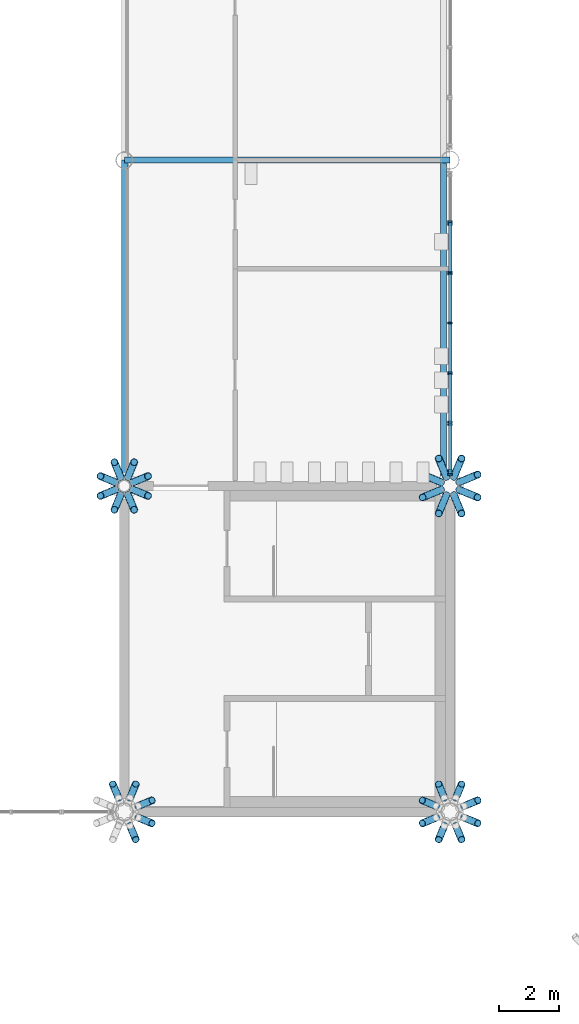
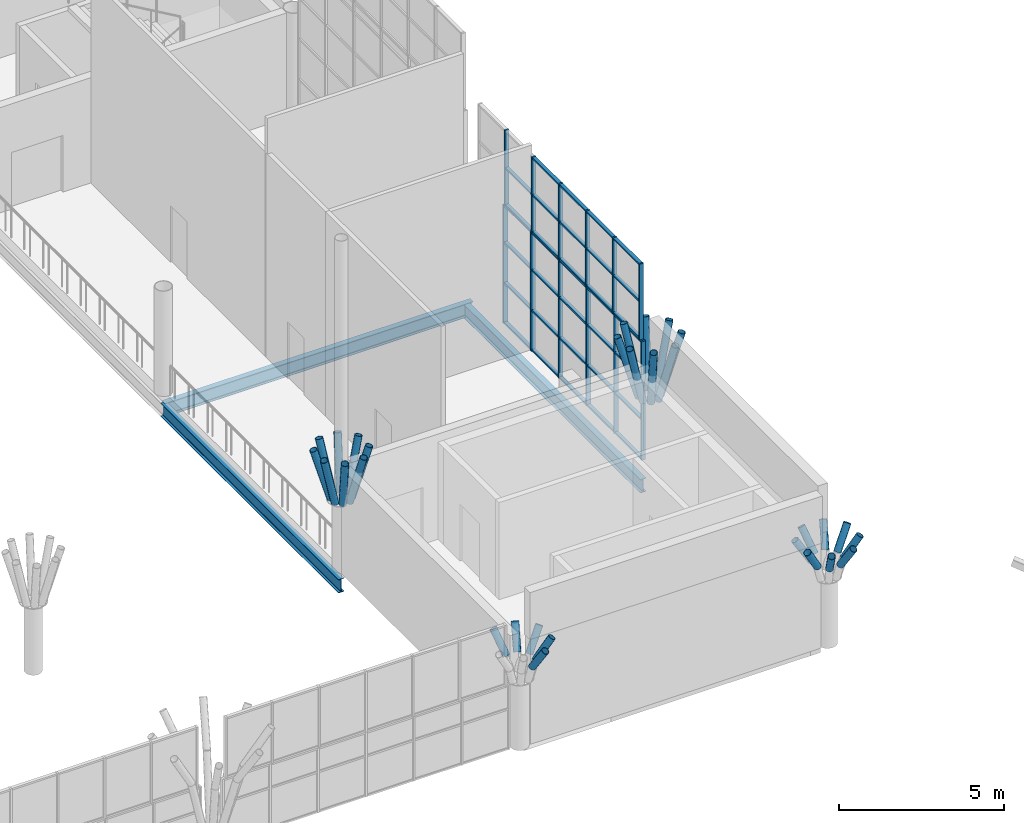
# One storey, part 20 of 95: 75 members, 3 beams, 2 elements without a shape of their own.
"""IFC4 building model written with IfcOpenShell, lengths in metres."""

from ifc_helpers import new_model, si_unit, direction, frame, origin, origin_2d, place, context, subcontext, project, spatial, rectangle, hollow_circle, i_section, extrude, material, layer, layer_set, material_profile, profile_set, type_object, element, aggregate, save


model = new_model("IFC4")

# Units and contexts
model_context = context("Model", 3, precision=1e-05, world=origin(), true_north=direction((0.0, 1.0)))
body_context = subcontext(model_context, "Body", "Model", "MODEL_VIEW")
ifc_project = project(units=[si_unit("LENGTHUNIT", "METRE"), si_unit("AREAUNIT", "SQUARE_METRE"), si_unit("VOLUMEUNIT", "CUBIC_METRE"), si_unit("PLANEANGLEUNIT", "RADIAN"), si_unit("MASSUNIT", "GRAM", prefix="KILO")], contexts=[model_context])

# Site, building, storey
site_placement = place(None, origin())
site = spatial("IfcSite", under=ifc_project, at=site_placement, CompositionType="ELEMENT")
building_placement = place(site_placement, origin())
building = spatial("IfcBuilding", under=site, at=building_placement, Name="Magnolia Steps Interchange", CompositionType="ELEMENT")
storey_placement = place(building_placement, frame((0.0, 0.0, 4.800048828125)))
storey = spatial("IfcBuildingStorey", under=building, at=storey_placement, Name="L01", CompositionType="ELEMENT", Elevation=4.800048828125)

# Curtain wall, members
ifc_material_1 = material(Name="Powder-coated aluminium and glass", Category="aluminium")
ifc_layer_1 = layer(ifc_material_1, 0.14990234375)
ifc_layer_set_1 = layer_set([ifc_layer_1], Name="Glazed hall curtain wall")
curtain_wall_type_1 = type_object("IfcCurtainWallType", Name="Glazed hall curtain wall", PredefinedType="NOTDEFINED", material=ifc_layer_set_1)
curtain_wall_1_placement = place(storey_placement, origin())
curtain_wall_1 = element("IfcCurtainWall", 1, at=curtain_wall_1_placement, inside=storey, type_object=curtain_wall_type_1, Name="Hall glazing E2 L01", PredefinedType="NOTDEFINED")
ifc_material_2 = material(Name="White powder-coated aluminium", Category="aluminium")
ifc_material_profile_1 = material_profile(ifc_material_2, rectangle(XDim=0.06005859375, YDim=0.14990234375, at=origin_2d()), Name="Aluminium mullion 60 x 150")
ifc_profile_set_1 = profile_set([ifc_material_profile_1], Name="White powder-coated aluminium")
member_type_1 = type_object("IfcMemberType", Name="Aluminium mullion 60 x 150", PredefinedType="MULLION", material=ifc_profile_set_1)
member_1_placement = place(storey_placement, frame((118.0, 53.590087890625, 0.0), z_axis=(0.0, 0.0, 1.0), x_axis=(0.0, 1.0, 0.0)))
member_1 = element("IfcMember", 2, at=member_1_placement, type_object=member_type_1, Name="CW1 mullion 1", PredefinedType="MULLION", context=body_context, shape_type="SweptSolid", body=[
    extrude(rectangle(XDim=0.06005859375, YDim=0.14990234375, at=origin_2d()), origin(), (0.0, 0.0, 1.0), 4.39990234375),
])
member_2_placement = place(storey_placement, frame((118.0, 55.239990234375, 0.0), z_axis=(0.0, 0.0, 1.0), x_axis=(0.0, 1.0, 0.0)))
member_2 = element("IfcMember", 3, at=member_2_placement, type_object=member_type_1, Name="CW1 mullion 2", PredefinedType="MULLION", context=body_context, shape_type="SweptSolid", body=[
    extrude(rectangle(XDim=0.06005859375, YDim=0.14990234375, at=origin_2d()), origin(), (0.0, 0.0, 1.0), 4.39990234375),
])
member_3_placement = place(storey_placement, frame((118.0, 56.919921875, 0.0), z_axis=(0.0, 0.0, 1.0), x_axis=(0.0, 1.0, 0.0)))
member_3 = element("IfcMember", 4, at=member_3_placement, type_object=member_type_1, Name="CW1 mullion 3", PredefinedType="MULLION", context=body_context, shape_type="SweptSolid", body=[
    extrude(rectangle(XDim=0.06005859375, YDim=0.14990234375, at=origin_2d()), origin(), (0.0, 0.0, 1.0), 4.39990234375),
])
member_4_placement = place(storey_placement, frame((118.0, 58.60009765625, 0.0), z_axis=(0.0, 0.0, 1.0), x_axis=(0.0, 1.0, 0.0)))
member_4 = element("IfcMember", 5, at=member_4_placement, type_object=member_type_1, Name="CW1 mullion 4", PredefinedType="MULLION", context=body_context, shape_type="SweptSolid", body=[
    extrude(rectangle(XDim=0.06005859375, YDim=0.14990234375, at=origin_2d()), origin(), (0.0, 0.0, 1.0), 4.39990234375),
])
member_5_placement = place(storey_placement, frame((118.0, 60.280029296875, 0.0), z_axis=(0.0, 0.0, 1.0), x_axis=(0.0, 1.0, 0.0)))
member_5 = element("IfcMember", 6, at=member_5_placement, type_object=member_type_1, Name="CW1 mullion 5", PredefinedType="MULLION", context=body_context, shape_type="SweptSolid", body=[
    extrude(rectangle(XDim=0.06005859375, YDim=0.14990234375, at=origin_2d()), origin(), (0.0, 0.0, 1.0), 4.39990234375),
])
member_6_placement = place(storey_placement, frame((118.0, 61.9599609375, 0.0), z_axis=(0.0, 0.0, 1.0), x_axis=(0.0, 1.0, 0.0)))
member_6 = element("IfcMember", 7, at=member_6_placement, type_object=member_type_1, Name="CW1 mullion 6", PredefinedType="MULLION", context=body_context, shape_type="SweptSolid", body=[
    extrude(rectangle(XDim=0.06005859375, YDim=0.14990234375, at=origin_2d()), origin(), (0.0, 0.0, 1.0), 4.39990234375),
])

ifc_material_3 = material(Name="Powder-coated aluminium and glass", Category="aluminium")
ifc_layer_2 = layer(ifc_material_3, 0.1201171875)
ifc_layer_set_2 = layer_set([ifc_layer_2], Name="Hall clerestory curtain wall")
curtain_wall_type_2 = type_object("IfcCurtainWallType", Name="Hall clerestory curtain wall", PredefinedType="NOTDEFINED", material=ifc_layer_set_2)
curtain_wall_2_placement = place(storey_placement, origin())
curtain_wall_2 = element("IfcCurtainWall", 8, at=curtain_wall_2_placement, inside=storey, type_object=curtain_wall_type_2, Name="Hall clerestory E2", PredefinedType="NOTDEFINED")
member_7_placement = place(storey_placement, frame((118.0, 53.7099609375, 4.39990234375), z_axis=(0.0, 0.0, 1.0), x_axis=(0.0, 1.0, 0.0)))
member_7 = element("IfcMember", 9, at=member_7_placement, type_object=member_type_1, Name="CW6 mullion 1", PredefinedType="MULLION", context=body_context, shape_type="SweptSolid", body=[
    extrude(rectangle(XDim=0.06005859375, YDim=0.14990234375, at=origin_2d()), origin(), (0.0, 0.0, 1.0), 2.800048828125),
])
member_8_placement = place(storey_placement, frame((118.0, 55.320068359375, 4.39990234375), z_axis=(0.0, 0.0, 1.0), x_axis=(0.0, 1.0, 0.0)))
member_8 = element("IfcMember", 10, at=member_8_placement, type_object=member_type_1, Name="CW6 mullion 2", PredefinedType="MULLION", context=body_context, shape_type="SweptSolid", body=[
    extrude(rectangle(XDim=0.06005859375, YDim=0.14990234375, at=origin_2d()), origin(), (0.0, 0.0, 1.0), 2.800048828125),
])
member_9_placement = place(storey_placement, frame((118.0, 56.9599609375, 4.39990234375), z_axis=(0.0, 0.0, 1.0), x_axis=(0.0, 1.0, 0.0)))
member_9 = element("IfcMember", 11, at=member_9_placement, type_object=member_type_1, Name="CW6 mullion 3", PredefinedType="MULLION", context=body_context, shape_type="SweptSolid", body=[
    extrude(rectangle(XDim=0.06005859375, YDim=0.14990234375, at=origin_2d()), origin(), (0.0, 0.0, 1.0), 2.800048828125),
])
member_10_placement = place(storey_placement, frame((118.0, 58.60009765625, 4.39990234375), z_axis=(0.0, 0.0, 1.0), x_axis=(0.0, 1.0, 0.0)))
member_10 = element("IfcMember", 12, at=member_10_placement, type_object=member_type_1, Name="CW6 mullion 4", PredefinedType="MULLION", context=body_context, shape_type="SweptSolid", body=[
    extrude(rectangle(XDim=0.06005859375, YDim=0.14990234375, at=origin_2d()), origin(), (0.0, 0.0, 1.0), 2.800048828125),
])
member_11_placement = place(storey_placement, frame((118.0, 60.239990234375, 4.39990234375), z_axis=(0.0, 0.0, 1.0), x_axis=(0.0, 1.0, 0.0)))
member_11 = element("IfcMember", 13, at=member_11_placement, type_object=member_type_1, Name="CW6 mullion 5", PredefinedType="MULLION", context=body_context, shape_type="SweptSolid", body=[
    extrude(rectangle(XDim=0.06005859375, YDim=0.14990234375, at=origin_2d()), origin(), (0.0, 0.0, 1.0), 2.800048828125),
])
member_12_placement = place(storey_placement, frame((118.0, 61.8798828125, 4.39990234375), z_axis=(0.0, 0.0, 1.0), x_axis=(0.0, 1.0, 0.0)))
member_12 = element("IfcMember", 14, at=member_12_placement, type_object=member_type_1, Name="CW6 mullion 6", PredefinedType="MULLION", context=body_context, shape_type="SweptSolid", body=[
    extrude(rectangle(XDim=0.06005859375, YDim=0.14990234375, at=origin_2d()), origin(), (0.0, 0.0, 1.0), 2.800048828125),
])

# Member
ifc_material_4 = material(Name="White powder-coated aluminium", Category="aluminium")
ifc_material_profile_2 = material_profile(ifc_material_4, rectangle(XDim=0.06005859375, YDim=0.1201171875, at=origin_2d()), Name="Aluminium transom 60 x 120")
ifc_profile_set_2 = profile_set([ifc_material_profile_2], Name="White powder-coated aluminium")
member_type_2 = type_object("IfcMemberType", Name="Aluminium transom 60 x 120", PredefinedType="USERDEFINED", material=ifc_profile_set_2)
member_13_placement = place(storey_placement, frame((118.0, 53.6201171875, 0.030029296875), z_axis=(0.0, 1.0, 0.0), x_axis=(0.0, 0.0, 1.0)))
member_13 = element("IfcMember", 15, at=member_13_placement, type_object=member_type_2, Name="CW1 transom 1.1", ObjectType="TRANSOM", PredefinedType="USERDEFINED", context=body_context, shape_type="SweptSolid", body=[
    extrude(rectangle(XDim=0.06005859375, YDim=0.1201171875, at=origin_2d()), origin(), (0.0, 0.0, 1.0), 1.58984375),
])

member_14_placement = place(storey_placement, frame((118.0, 53.6201171875, 1.5), z_axis=(0.0, 1.0, 0.0), x_axis=(0.0, 0.0, 1.0)))
member_14 = element("IfcMember", 16, at=member_14_placement, type_object=member_type_2, Name="CW1 transom 1.2", ObjectType="TRANSOM", PredefinedType="USERDEFINED", context=body_context, shape_type="SweptSolid", body=[
    extrude(rectangle(XDim=0.06005859375, YDim=0.1201171875, at=origin_2d()), origin(), (0.0, 0.0, 1.0), 1.58984375),
])

member_15_placement = place(storey_placement, frame((118.0, 53.6201171875, 3.0), z_axis=(0.0, 1.0, 0.0), x_axis=(0.0, 0.0, 1.0)))
member_15 = element("IfcMember", 17, at=member_15_placement, type_object=member_type_2, Name="CW1 transom 1.3", ObjectType="TRANSOM", PredefinedType="USERDEFINED", context=body_context, shape_type="SweptSolid", body=[
    extrude(rectangle(XDim=0.06005859375, YDim=0.1201171875, at=origin_2d()), origin(), (0.0, 0.0, 1.0), 1.58984375),
])

member_16_placement = place(storey_placement, frame((118.0, 53.6201171875, 4.369873046875), z_axis=(0.0, 1.0, 0.0), x_axis=(0.0, 0.0, 1.0)))
member_16 = element("IfcMember", 18, at=member_16_placement, type_object=member_type_2, Name="CW1 transom 1.4", ObjectType="TRANSOM", PredefinedType="USERDEFINED", context=body_context, shape_type="SweptSolid", body=[
    extrude(rectangle(XDim=0.06005859375, YDim=0.1201171875, at=origin_2d()), origin(), (0.0, 0.0, 1.0), 1.58984375),
])

member_17_placement = place(storey_placement, frame((118.0, 55.27001953125, 0.030029296875), z_axis=(0.0, 1.0, 0.0), x_axis=(0.0, 0.0, 1.0)))
member_17 = element("IfcMember", 19, at=member_17_placement, type_object=member_type_2, Name="CW1 transom 2.1", ObjectType="TRANSOM", PredefinedType="USERDEFINED", context=body_context, shape_type="SweptSolid", body=[
    extrude(rectangle(XDim=0.06005859375, YDim=0.1201171875, at=origin_2d()), origin(), (0.0, 0.0, 1.0), 1.619873046875),
])

member_18_placement = place(storey_placement, frame((118.0, 55.27001953125, 1.5), z_axis=(0.0, 1.0, 0.0), x_axis=(0.0, 0.0, 1.0)))
member_18 = element("IfcMember", 20, at=member_18_placement, type_object=member_type_2, Name="CW1 transom 2.2", ObjectType="TRANSOM", PredefinedType="USERDEFINED", context=body_context, shape_type="SweptSolid", body=[
    extrude(rectangle(XDim=0.06005859375, YDim=0.1201171875, at=origin_2d()), origin(), (0.0, 0.0, 1.0), 1.619873046875),
])

member_19_placement = place(storey_placement, frame((118.0, 55.27001953125, 3.0), z_axis=(0.0, 1.0, 0.0), x_axis=(0.0, 0.0, 1.0)))
member_19 = element("IfcMember", 21, at=member_19_placement, type_object=member_type_2, Name="CW1 transom 2.3", ObjectType="TRANSOM", PredefinedType="USERDEFINED", context=body_context, shape_type="SweptSolid", body=[
    extrude(rectangle(XDim=0.06005859375, YDim=0.1201171875, at=origin_2d()), origin(), (0.0, 0.0, 1.0), 1.619873046875),
])

member_20_placement = place(storey_placement, frame((118.0, 55.27001953125, 4.369873046875), z_axis=(0.0, 1.0, 0.0), x_axis=(0.0, 0.0, 1.0)))
member_20 = element("IfcMember", 22, at=member_20_placement, type_object=member_type_2, Name="CW1 transom 2.4", ObjectType="TRANSOM", PredefinedType="USERDEFINED", context=body_context, shape_type="SweptSolid", body=[
    extrude(rectangle(XDim=0.06005859375, YDim=0.1201171875, at=origin_2d()), origin(), (0.0, 0.0, 1.0), 1.619873046875),
])

member_21_placement = place(storey_placement, frame((118.0, 56.949951171875, 0.030029296875), z_axis=(0.0, 1.0, 0.0), x_axis=(0.0, 0.0, 1.0)))
member_21 = element("IfcMember", 23, at=member_21_placement, type_object=member_type_2, Name="CW1 transom 3.1", ObjectType="TRANSOM", PredefinedType="USERDEFINED", context=body_context, shape_type="SweptSolid", body=[
    extrude(rectangle(XDim=0.06005859375, YDim=0.1201171875, at=origin_2d()), origin(), (0.0, 0.0, 1.0), 1.6201171875),
])

member_22_placement = place(storey_placement, frame((118.0, 56.949951171875, 1.5), z_axis=(0.0, 1.0, 0.0), x_axis=(0.0, 0.0, 1.0)))
member_22 = element("IfcMember", 24, at=member_22_placement, type_object=member_type_2, Name="CW1 transom 3.2", ObjectType="TRANSOM", PredefinedType="USERDEFINED", context=body_context, shape_type="SweptSolid", body=[
    extrude(rectangle(XDim=0.06005859375, YDim=0.1201171875, at=origin_2d()), origin(), (0.0, 0.0, 1.0), 1.6201171875),
])

member_23_placement = place(storey_placement, frame((118.0, 56.949951171875, 3.0), z_axis=(0.0, 1.0, 0.0), x_axis=(0.0, 0.0, 1.0)))
member_23 = element("IfcMember", 25, at=member_23_placement, type_object=member_type_2, Name="CW1 transom 3.3", ObjectType="TRANSOM", PredefinedType="USERDEFINED", context=body_context, shape_type="SweptSolid", body=[
    extrude(rectangle(XDim=0.06005859375, YDim=0.1201171875, at=origin_2d()), origin(), (0.0, 0.0, 1.0), 1.6201171875),
])

member_24_placement = place(storey_placement, frame((118.0, 56.949951171875, 4.369873046875), z_axis=(0.0, 1.0, 0.0), x_axis=(0.0, 0.0, 1.0)))
member_24 = element("IfcMember", 26, at=member_24_placement, type_object=member_type_2, Name="CW1 transom 3.4", ObjectType="TRANSOM", PredefinedType="USERDEFINED", context=body_context, shape_type="SweptSolid", body=[
    extrude(rectangle(XDim=0.06005859375, YDim=0.1201171875, at=origin_2d()), origin(), (0.0, 0.0, 1.0), 1.6201171875),
])

member_25_placement = place(storey_placement, frame((118.0, 58.6298828125, 0.030029296875), z_axis=(0.0, 1.0, 0.0), x_axis=(0.0, 0.0, 1.0)))
member_25 = element("IfcMember", 27, at=member_25_placement, type_object=member_type_2, Name="CW1 transom 4.1", ObjectType="TRANSOM", PredefinedType="USERDEFINED", context=body_context, shape_type="SweptSolid", body=[
    extrude(rectangle(XDim=0.06005859375, YDim=0.1201171875, at=origin_2d()), origin(), (0.0, 0.0, 1.0), 1.6201171875),
])

member_26_placement = place(storey_placement, frame((118.0, 58.6298828125, 1.5), z_axis=(0.0, 1.0, 0.0), x_axis=(0.0, 0.0, 1.0)))
member_26 = element("IfcMember", 28, at=member_26_placement, type_object=member_type_2, Name="CW1 transom 4.2", ObjectType="TRANSOM", PredefinedType="USERDEFINED", context=body_context, shape_type="SweptSolid", body=[
    extrude(rectangle(XDim=0.06005859375, YDim=0.1201171875, at=origin_2d()), origin(), (0.0, 0.0, 1.0), 1.6201171875),
])

member_27_placement = place(storey_placement, frame((118.0, 58.6298828125, 3.0), z_axis=(0.0, 1.0, 0.0), x_axis=(0.0, 0.0, 1.0)))
member_27 = element("IfcMember", 29, at=member_27_placement, type_object=member_type_2, Name="CW1 transom 4.3", ObjectType="TRANSOM", PredefinedType="USERDEFINED", context=body_context, shape_type="SweptSolid", body=[
    extrude(rectangle(XDim=0.06005859375, YDim=0.1201171875, at=origin_2d()), origin(), (0.0, 0.0, 1.0), 1.6201171875),
])

member_28_placement = place(storey_placement, frame((118.0, 58.6298828125, 4.369873046875), z_axis=(0.0, 1.0, 0.0), x_axis=(0.0, 0.0, 1.0)))
member_28 = element("IfcMember", 30, at=member_28_placement, type_object=member_type_2, Name="CW1 transom 4.4", ObjectType="TRANSOM", PredefinedType="USERDEFINED", context=body_context, shape_type="SweptSolid", body=[
    extrude(rectangle(XDim=0.06005859375, YDim=0.1201171875, at=origin_2d()), origin(), (0.0, 0.0, 1.0), 1.6201171875),
])

member_29_placement = place(storey_placement, frame((118.0, 60.31005859375, 0.030029296875), z_axis=(0.0, 1.0, 0.0), x_axis=(0.0, 0.0, 1.0)))
member_29 = element("IfcMember", 31, at=member_29_placement, type_object=member_type_2, Name="CW1 transom 5.1", ObjectType="TRANSOM", PredefinedType="USERDEFINED", context=body_context, shape_type="SweptSolid", body=[
    extrude(rectangle(XDim=0.06005859375, YDim=0.1201171875, at=origin_2d()), origin(), (0.0, 0.0, 1.0), 1.619873046875),
])

member_30_placement = place(storey_placement, frame((118.0, 60.31005859375, 1.5), z_axis=(0.0, 1.0, 0.0), x_axis=(0.0, 0.0, 1.0)))
member_30 = element("IfcMember", 32, at=member_30_placement, type_object=member_type_2, Name="CW1 transom 5.2", ObjectType="TRANSOM", PredefinedType="USERDEFINED", context=body_context, shape_type="SweptSolid", body=[
    extrude(rectangle(XDim=0.06005859375, YDim=0.1201171875, at=origin_2d()), origin(), (0.0, 0.0, 1.0), 1.619873046875),
])

member_31_placement = place(storey_placement, frame((118.0, 60.31005859375, 3.0), z_axis=(0.0, 1.0, 0.0), x_axis=(0.0, 0.0, 1.0)))
member_31 = element("IfcMember", 33, at=member_31_placement, type_object=member_type_2, Name="CW1 transom 5.3", ObjectType="TRANSOM", PredefinedType="USERDEFINED", context=body_context, shape_type="SweptSolid", body=[
    extrude(rectangle(XDim=0.06005859375, YDim=0.1201171875, at=origin_2d()), origin(), (0.0, 0.0, 1.0), 1.619873046875),
])

member_32_placement = place(storey_placement, frame((118.0, 60.31005859375, 4.369873046875), z_axis=(0.0, 1.0, 0.0), x_axis=(0.0, 0.0, 1.0)))
member_32 = element("IfcMember", 34, at=member_32_placement, type_object=member_type_2, Name="CW1 transom 5.4", ObjectType="TRANSOM", PredefinedType="USERDEFINED", context=body_context, shape_type="SweptSolid", body=[
    extrude(rectangle(XDim=0.06005859375, YDim=0.1201171875, at=origin_2d()), origin(), (0.0, 0.0, 1.0), 1.619873046875),
])

aggregate(curtain_wall_1, [member_1, member_2, member_3, member_4, member_5, member_6, member_13, member_14, member_15, member_16, member_17, member_18, member_19, member_20, member_21, member_22, member_23, member_24, member_25, member_26, member_27, member_28, member_29, member_30, member_31, member_32])

member_33_placement = place(storey_placement, frame((118.0, 53.739990234375, 4.429931640625), z_axis=(0.0, 1.0, 0.0), x_axis=(0.0, 0.0, 1.0)))
member_33 = element("IfcMember", 35, at=member_33_placement, type_object=member_type_2, Name="CW6 transom 1.1", ObjectType="TRANSOM", PredefinedType="USERDEFINED", context=body_context, shape_type="SweptSolid", body=[
    extrude(rectangle(XDim=0.06005859375, YDim=0.1201171875, at=origin_2d()), origin(), (0.0, 0.0, 1.0), 1.550048828125),
])

member_34_placement = place(storey_placement, frame((118.0, 53.739990234375, 5.800048828125), z_axis=(0.0, 1.0, 0.0), x_axis=(0.0, 0.0, 1.0)))
member_34 = element("IfcMember", 36, at=member_34_placement, type_object=member_type_2, Name="CW6 transom 1.2", ObjectType="TRANSOM", PredefinedType="USERDEFINED", context=body_context, shape_type="SweptSolid", body=[
    extrude(rectangle(XDim=0.06005859375, YDim=0.1201171875, at=origin_2d()), origin(), (0.0, 0.0, 1.0), 1.550048828125),
])

member_35_placement = place(storey_placement, frame((118.0, 53.739990234375, 7.169921875), z_axis=(0.0, 1.0, 0.0), x_axis=(0.0, 0.0, 1.0)))
member_35 = element("IfcMember", 37, at=member_35_placement, type_object=member_type_2, Name="CW6 transom 1.3", ObjectType="TRANSOM", PredefinedType="USERDEFINED", context=body_context, shape_type="SweptSolid", body=[
    extrude(rectangle(XDim=0.06005859375, YDim=0.1201171875, at=origin_2d()), origin(), (0.0, 0.0, 1.0), 1.550048828125),
])

member_36_placement = place(storey_placement, frame((118.0, 55.35009765625, 4.429931640625), z_axis=(0.0, 1.0, 0.0), x_axis=(0.0, 0.0, 1.0)))
member_36 = element("IfcMember", 38, at=member_36_placement, type_object=member_type_2, Name="CW6 transom 2.1", ObjectType="TRANSOM", PredefinedType="USERDEFINED", context=body_context, shape_type="SweptSolid", body=[
    extrude(rectangle(XDim=0.06005859375, YDim=0.1201171875, at=origin_2d()), origin(), (0.0, 0.0, 1.0), 1.579833984375),
])

member_37_placement = place(storey_placement, frame((118.0, 55.35009765625, 5.800048828125), z_axis=(0.0, 1.0, 0.0), x_axis=(0.0, 0.0, 1.0)))
member_37 = element("IfcMember", 39, at=member_37_placement, type_object=member_type_2, Name="CW6 transom 2.2", ObjectType="TRANSOM", PredefinedType="USERDEFINED", context=body_context, shape_type="SweptSolid", body=[
    extrude(rectangle(XDim=0.06005859375, YDim=0.1201171875, at=origin_2d()), origin(), (0.0, 0.0, 1.0), 1.579833984375),
])

member_38_placement = place(storey_placement, frame((118.0, 55.35009765625, 7.169921875), z_axis=(0.0, 1.0, 0.0), x_axis=(0.0, 0.0, 1.0)))
member_38 = element("IfcMember", 40, at=member_38_placement, type_object=member_type_2, Name="CW6 transom 2.3", ObjectType="TRANSOM", PredefinedType="USERDEFINED", context=body_context, shape_type="SweptSolid", body=[
    extrude(rectangle(XDim=0.06005859375, YDim=0.1201171875, at=origin_2d()), origin(), (0.0, 0.0, 1.0), 1.579833984375),
])

member_39_placement = place(storey_placement, frame((118.0, 56.989990234375, 4.429931640625), z_axis=(0.0, 1.0, 0.0), x_axis=(0.0, 0.0, 1.0)))
member_39 = element("IfcMember", 41, at=member_39_placement, type_object=member_type_2, Name="CW6 transom 3.1", ObjectType="TRANSOM", PredefinedType="USERDEFINED", context=body_context, shape_type="SweptSolid", body=[
    extrude(rectangle(XDim=0.06005859375, YDim=0.1201171875, at=origin_2d()), origin(), (0.0, 0.0, 1.0), 1.580078125),
])

member_40_placement = place(storey_placement, frame((118.0, 56.989990234375, 5.800048828125), z_axis=(0.0, 1.0, 0.0), x_axis=(0.0, 0.0, 1.0)))
member_40 = element("IfcMember", 42, at=member_40_placement, type_object=member_type_2, Name="CW6 transom 3.2", ObjectType="TRANSOM", PredefinedType="USERDEFINED", context=body_context, shape_type="SweptSolid", body=[
    extrude(rectangle(XDim=0.06005859375, YDim=0.1201171875, at=origin_2d()), origin(), (0.0, 0.0, 1.0), 1.580078125),
])

member_41_placement = place(storey_placement, frame((118.0, 56.989990234375, 7.169921875), z_axis=(0.0, 1.0, 0.0), x_axis=(0.0, 0.0, 1.0)))
member_41 = element("IfcMember", 43, at=member_41_placement, type_object=member_type_2, Name="CW6 transom 3.3", ObjectType="TRANSOM", PredefinedType="USERDEFINED", context=body_context, shape_type="SweptSolid", body=[
    extrude(rectangle(XDim=0.06005859375, YDim=0.1201171875, at=origin_2d()), origin(), (0.0, 0.0, 1.0), 1.580078125),
])

member_42_placement = place(storey_placement, frame((118.0, 58.6298828125, 4.429931640625), z_axis=(0.0, 1.0, 0.0), x_axis=(0.0, 0.0, 1.0)))
member_42 = element("IfcMember", 44, at=member_42_placement, type_object=member_type_2, Name="CW6 transom 4.1", ObjectType="TRANSOM", PredefinedType="USERDEFINED", context=body_context, shape_type="SweptSolid", body=[
    extrude(rectangle(XDim=0.06005859375, YDim=0.1201171875, at=origin_2d()), origin(), (0.0, 0.0, 1.0), 1.580078125),
])

member_43_placement = place(storey_placement, frame((118.0, 58.6298828125, 5.800048828125), z_axis=(0.0, 1.0, 0.0), x_axis=(0.0, 0.0, 1.0)))
member_43 = element("IfcMember", 45, at=member_43_placement, type_object=member_type_2, Name="CW6 transom 4.2", ObjectType="TRANSOM", PredefinedType="USERDEFINED", context=body_context, shape_type="SweptSolid", body=[
    extrude(rectangle(XDim=0.06005859375, YDim=0.1201171875, at=origin_2d()), origin(), (0.0, 0.0, 1.0), 1.580078125),
])

member_44_placement = place(storey_placement, frame((118.0, 58.6298828125, 7.169921875), z_axis=(0.0, 1.0, 0.0), x_axis=(0.0, 0.0, 1.0)))
member_44 = element("IfcMember", 46, at=member_44_placement, type_object=member_type_2, Name="CW6 transom 4.3", ObjectType="TRANSOM", PredefinedType="USERDEFINED", context=body_context, shape_type="SweptSolid", body=[
    extrude(rectangle(XDim=0.06005859375, YDim=0.1201171875, at=origin_2d()), origin(), (0.0, 0.0, 1.0), 1.580078125),
])

member_45_placement = place(storey_placement, frame((118.0, 60.27001953125, 4.429931640625), z_axis=(0.0, 1.0, 0.0), x_axis=(0.0, 0.0, 1.0)))
member_45 = element("IfcMember", 47, at=member_45_placement, type_object=member_type_2, Name="CW6 transom 5.1", ObjectType="TRANSOM", PredefinedType="USERDEFINED", context=body_context, shape_type="SweptSolid", body=[
    extrude(rectangle(XDim=0.06005859375, YDim=0.1201171875, at=origin_2d()), origin(), (0.0, 0.0, 1.0), 1.580078125),
])

member_46_placement = place(storey_placement, frame((118.0, 60.27001953125, 5.800048828125), z_axis=(0.0, 1.0, 0.0), x_axis=(0.0, 0.0, 1.0)))
member_46 = element("IfcMember", 48, at=member_46_placement, type_object=member_type_2, Name="CW6 transom 5.2", ObjectType="TRANSOM", PredefinedType="USERDEFINED", context=body_context, shape_type="SweptSolid", body=[
    extrude(rectangle(XDim=0.06005859375, YDim=0.1201171875, at=origin_2d()), origin(), (0.0, 0.0, 1.0), 1.580078125),
])

aggregate(curtain_wall_2, [member_7, member_8, member_9, member_10, member_11, member_12, member_33, member_34, member_35, member_36, member_37, member_38, member_39, member_40, member_41, member_42, member_43, member_44, member_45, member_46])

# Beams
ifc_material_5 = material(Name="Steel Q355B", Category="steel")
ifc_material_profile_3 = material_profile(ifc_material_5, i_section(OverallWidth=0.199951171875, OverallDepth=0.5, WebThickness=0.010009765625, FlangeThickness=0.01611328125, FilletRadius=0.02001953125, at=origin_2d()), Name="HN500x200")
ifc_profile_set_3 = profile_set([ifc_material_profile_3], Name="Steel Q355B")
beam_type = type_object("IfcBeamType", Name="Steel composite beam HN500x200", PredefinedType="BEAM", material=ifc_profile_set_3)
for number, where, z_axis, x_axis, name in (
    (49, (107.199951171875, 64.0, -0.650146484375), (1.0, 0.0, 0.0), (0.0, 1.0, 0.0), "Beam L01 F 10-11"),
    (50, (107.199951171875, 53.199951171875, -0.650146484375), (0.0, 1.0, 0.0), (-1.0, 0.0, 0.0), "Beam L01 10 E-F"),
    (51, (117.780029296875, 53.199951171875, -0.650146484375), (0.0, 1.0, 0.0), (-1.0, 0.0, 0.0), "Beam L01 11 E-F"),
):
    element("IfcBeam", number, at=place(storey_placement, frame(where, z_axis=z_axis, x_axis=x_axis)), inside=storey, type_object=beam_type, Name=name, PredefinedType="BEAM", context=body_context, shape_type="SweptSolid", body=[
        extrude(i_section(OverallWidth=0.199951171875, OverallDepth=0.5, WebThickness=0.010009765625, FlangeThickness=0.01611328125, FilletRadius=0.02001953125, at=origin_2d()), origin(), (0.0, 0.0, 1.0), 10.800048828125),
    ])

# Members
ifc_material_6 = material(Name="Steel Q355B", Category="steel")
ifc_material_profile_4 = material_profile(ifc_material_6, hollow_circle(Radius=0.12255859375, WallThickness=0.011962890625, at=origin_2d()), Name="CHS245x12")
ifc_profile_set_4 = profile_set([ifc_material_profile_4], Name="Steel Q355B")
member_type_3 = type_object("IfcMemberType", Name="Tree rib CHS245x12", PredefinedType="USERDEFINED", material=ifc_profile_set_4)
for number, where, z_axis, x_axis, name in (
    (52, (107.65771484375, 42.589599609375, 3.0966796875), (0.489491884821, 0.202752691239, 0.84810909728), (-0.382681038186, 0.923880524209, 0.0), "Tree rib TH06A"),
    (53, (107.3896484375, 42.857666015625, 3.0966796875), (0.202752691239, 0.489491884821, 0.84810909728), (-0.923880524209, 0.382681038186, 0.0), "Tree rib TH06A"),
    (54, (107.010498046875, 42.857666015625, 3.0966796875), (-0.202752691239, 0.489491884821, 0.84810909728), (-0.923880524209, -0.382681038186, 0.0), "Tree rib TH06A"),
    (55, (107.3896484375, 41.9423828125, 3.0966796875), (0.202752691239, -0.489491884821, 0.84810909728), (0.923880524209, 0.382681038186, 0.0), "Tree rib TH06A"),
    (56, (107.65771484375, 42.21044921875, 3.0966796875), (0.489491884821, -0.202752691239, 0.84810909728), (0.382681038186, 0.923880524209, 0.0), "Tree rib TH06A"),
):
    element("IfcMember", number, at=place(storey_placement, frame(where, z_axis=z_axis, x_axis=x_axis)), inside=storey, type_object=member_type_3, Name=name, ObjectType="TREE RIB", PredefinedType="USERDEFINED", context=body_context, shape_type="SweptSolid", body=[
        extrude(hollow_circle(Radius=0.12255859375, WallThickness=0.011962890625, at=origin_2d()), origin(), (0.0, 0.0, 1.0), 0.94775390625),
    ])
for number, where, z_axis, x_axis, name in (
    (57, (107.4951171875, 53.322265625, 2.59423828125), (0.254645418779, 0.105452865921, 0.961267602577), (-0.382606875641, 0.923911239629, 0.0), "Tree rib TH06B"),
    (58, (107.322265625, 53.4951171875, 2.59423828125), (0.105452865921, 0.254645418779, 0.961267602577), (-0.923911239629, 0.382606875641, 0.0), "Tree rib TH06B"),
    (59, (107.07763671875, 53.4951171875, 2.59423828125), (-0.105452865921, 0.254645418779, 0.961267602577), (-0.923911239629, -0.382606875641, 0.0), "Tree rib TH06B"),
    (60, (106.90478515625, 53.322265625, 2.59423828125), (-0.254645418779, 0.105452865921, 0.961267602577), (-0.382606875641, -0.923911239629, 0.0), "Tree rib TH06B"),
    (61, (106.90478515625, 53.07763671875, 2.59423828125), (-0.254645418779, -0.105452865921, 0.961267602577), (0.382606875641, -0.923911239629, 0.0), "Tree rib TH06B"),
    (62, (107.07763671875, 52.90478515625, 2.59423828125), (-0.105452865921, -0.254645418779, 0.961267602577), (0.923911239629, -0.382606875641, 0.0), "Tree rib TH06B"),
    (63, (107.322265625, 52.90478515625, 2.59423828125), (0.105452865921, -0.254645418779, 0.961267602577), (0.923911239629, 0.382606875641, 0.0), "Tree rib TH06B"),
    (64, (107.4951171875, 53.07763671875, 2.59423828125), (0.254645418779, -0.105452865921, 0.961267602577), (0.382606875641, 0.923911239629, 0.0), "Tree rib TH06B"),
):
    element("IfcMember", number, at=place(storey_placement, frame(where, z_axis=z_axis, x_axis=x_axis)), inside=storey, type_object=member_type_3, Name=name, ObjectType="TREE RIB", PredefinedType="USERDEFINED", context=body_context, shape_type="SweptSolid", body=[
        extrude(hollow_circle(Radius=0.12255859375, WallThickness=0.011962890625, at=origin_2d()), origin(), (0.0, 0.0, 1.0), 1.9423828125),
    ])
member_47_placement = place(storey_placement, frame((118.457763671875, 42.589599609375, 3.0966796875), z_axis=(0.489491884821, 0.202752691239, 0.84810909728), x_axis=(-0.382681038186, 0.923880524209, 0.0)))
element("IfcMember", 65, at=member_47_placement, inside=storey, type_object=member_type_3, Name="Tree rib TH07A", ObjectType="TREE RIB", PredefinedType="USERDEFINED", context=body_context, shape_type="SweptSolid", body=[
    extrude(hollow_circle(Radius=0.12255859375, WallThickness=0.011962890625, at=origin_2d()), origin(), (0.0, 0.0, 1.0), 0.94775390625),
])
for number, where, z_axis, x_axis, name in (
    (66, (118.189697265625, 42.857666015625, 3.0966796875), (0.202505635294, 0.489517439006, 0.848153373267), (-0.924052378399, 0.382265878643, 0.0), "Tree rib TH07A"),
    (67, (117.810302734375, 42.857666015625, 3.0966796875), (-0.202505635294, 0.489517439006, 0.848153373267), (-0.924052378399, -0.382265878643, 0.0), "Tree rib TH07A"),
):
    element("IfcMember", number, at=place(storey_placement, frame(where, z_axis=z_axis, x_axis=x_axis)), inside=storey, type_object=member_type_3, Name=name, ObjectType="TREE RIB", PredefinedType="USERDEFINED", context=body_context, shape_type="SweptSolid", body=[
        extrude(hollow_circle(Radius=0.12255859375, WallThickness=0.011962890625, at=origin_2d()), origin(), (0.0, 0.0, 1.0), 0.947509765625),
    ])
for number, where, z_axis, x_axis, name in (
    (68, (117.542236328125, 42.589599609375, 3.0966796875), (-0.489491884821, 0.202752691239, 0.84810909728), (-0.382681038186, -0.923880524209, 0.0), "Tree rib TH07A"),
    (69, (117.542236328125, 42.21044921875, 3.0966796875), (-0.489491884821, -0.202752691239, 0.84810909728), (0.382681038186, -0.923880524209, 0.0), "Tree rib TH07A"),
):
    element("IfcMember", number, at=place(storey_placement, frame(where, z_axis=z_axis, x_axis=x_axis)), inside=storey, type_object=member_type_3, Name=name, ObjectType="TREE RIB", PredefinedType="USERDEFINED", context=body_context, shape_type="SweptSolid", body=[
        extrude(hollow_circle(Radius=0.12255859375, WallThickness=0.011962890625, at=origin_2d()), origin(), (0.0, 0.0, 1.0), 0.94775390625),
    ])
for number, where, z_axis, x_axis, name in (
    (70, (117.810302734375, 41.9423828125, 3.0966796875), (-0.202505635294, -0.489517439006, 0.848153373267), (0.924052378399, -0.382265878643, 0.0), "Tree rib TH07A"),
    (71, (118.189697265625, 41.9423828125, 3.0966796875), (0.202505635294, -0.489517439006, 0.848153373267), (0.924052378399, 0.382265878643, 0.0), "Tree rib TH07A"),
):
    element("IfcMember", number, at=place(storey_placement, frame(where, z_axis=z_axis, x_axis=x_axis)), inside=storey, type_object=member_type_3, Name=name, ObjectType="TREE RIB", PredefinedType="USERDEFINED", context=body_context, shape_type="SweptSolid", body=[
        extrude(hollow_circle(Radius=0.12255859375, WallThickness=0.011962890625, at=origin_2d()), origin(), (0.0, 0.0, 1.0), 0.947509765625),
    ])
member_48_placement = place(storey_placement, frame((118.457763671875, 42.21044921875, 3.0966796875), z_axis=(0.489491884821, -0.202752691239, 0.84810909728), x_axis=(0.382681038186, 0.923880524209, 0.0)))
element("IfcMember", 72, at=member_48_placement, inside=storey, type_object=member_type_3, Name="Tree rib TH07A", ObjectType="TREE RIB", PredefinedType="USERDEFINED", context=body_context, shape_type="SweptSolid", body=[
    extrude(hollow_circle(Radius=0.12255859375, WallThickness=0.011962890625, at=origin_2d()), origin(), (0.0, 0.0, 1.0), 0.94775390625),
])
for number, where, z_axis, x_axis, name in (
    (73, (118.304931640625, 53.326416015625, 2.59423828125), (0.254679018405, 0.105373827881, 0.961267368624), (-0.382318975891, 0.924030411119, 0.0), "Tree rib TH07B"),
    (74, (118.126220703125, 53.5048828125, 2.59423828125), (0.105475093291, 0.254676268946, 0.961256990992), (-0.923899118291, 0.382636144688, 0.0), "Tree rib TH07B"),
    (75, (117.873779296875, 53.5048828125, 2.59423828125), (-0.105475093291, 0.254676268946, 0.961256990992), (-0.923899118291, -0.382636144688, 0.0), "Tree rib TH07B"),
    (76, (117.695068359375, 53.326416015625, 2.59423828125), (-0.254679018405, 0.105373827881, 0.961267368624), (-0.382318975891, -0.924030411119, 0.0), "Tree rib TH07B"),
    (77, (117.695068359375, 53.07373046875, 2.59423828125), (-0.254676268946, -0.105475093291, 0.961256990992), (0.382636144688, -0.923899118291, 0.0), "Tree rib TH07B"),
    (78, (117.873779296875, 52.89501953125, 2.59423828125), (-0.105477843595, -0.254580504056, 0.961282056144), (0.923844700065, -0.382767514508, 0.0), "Tree rib TH07B"),
    (79, (118.126220703125, 52.89501953125, 2.59423828125), (0.105477843595, -0.254580504056, 0.961282056144), (0.923844700065, 0.382767514508, 0.0), "Tree rib TH07B"),
    (80, (118.304931640625, 53.07373046875, 2.59423828125), (0.254676268946, -0.105475093291, 0.961256990992), (0.382636144688, 0.923899118291, 0.0), "Tree rib TH07B"),
):
    element("IfcMember", number, at=place(storey_placement, frame(where, z_axis=z_axis, x_axis=x_axis)), inside=storey, type_object=member_type_3, Name=name, ObjectType="TREE RIB", PredefinedType="USERDEFINED", context=body_context, shape_type="SweptSolid", body=[
        extrude(hollow_circle(Radius=0.12255859375, WallThickness=0.011962890625, at=origin_2d()), origin(), (0.0, 0.0, 1.0), 2.384033203125),
    ])

save(model, "model.ifc")
